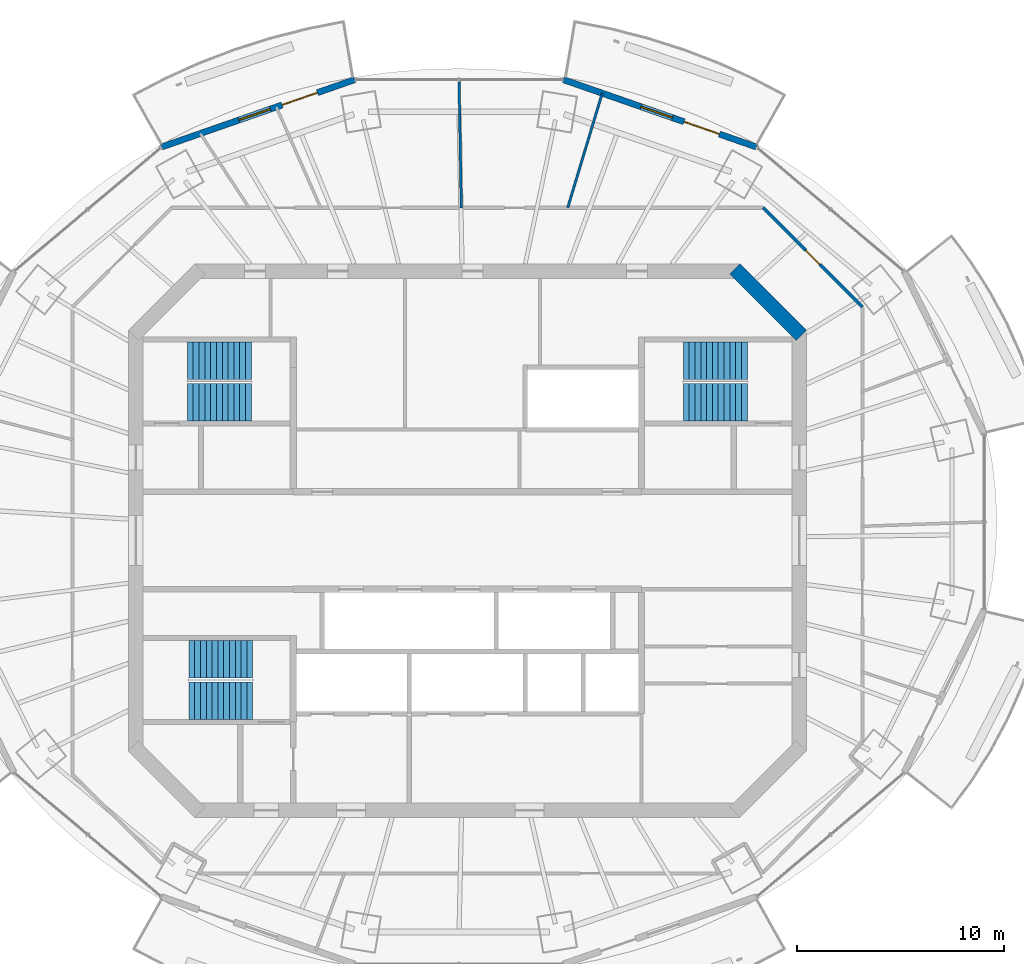
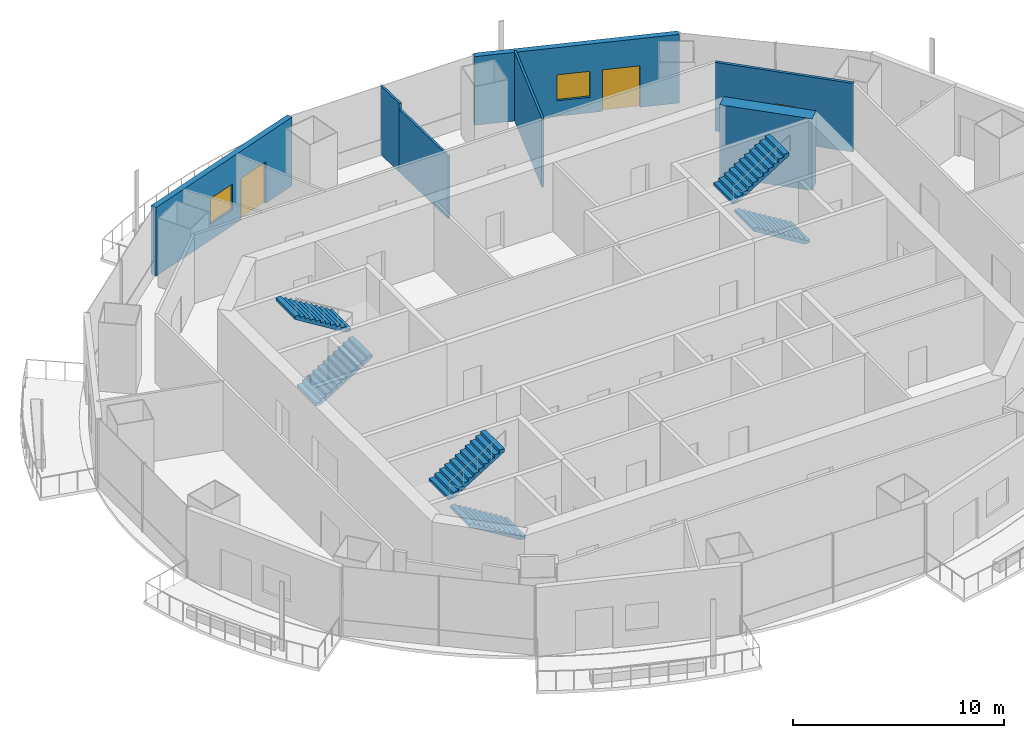
# One storey, part 11 of 16: 7 walls, 6 stair flights, 3 doors, 2 windows, 5 openings, 3 elements without a shape of their own.
"""IFC4 building model written with IfcOpenShell, lengths in metres."""

from ifc_helpers import new_model, si_unit, direction, frame, frame_2d, origin, place, context, subcontext, project, spatial, polyline, rectangle, outline, extrude, material, layer, layer_set, type_object, element, fill, aggregate, save


model = new_model("IFC4")

# Units and contexts
model_context = context("Model", 3, precision=1e-05, world=origin(), true_north=direction((0.0, 1.0)))
body_context = subcontext(model_context, "Body", "Model", "MODEL_VIEW")
ifc_project = project(units=[si_unit("LENGTHUNIT", "METRE"), si_unit("AREAUNIT", "SQUARE_METRE"), si_unit("VOLUMEUNIT", "CUBIC_METRE"), si_unit("PLANEANGLEUNIT", "RADIAN"), si_unit("MASSUNIT", "GRAM", prefix="KILO")], contexts=[model_context])

# Site, building, storey
site_placement = place(None, origin())
site = spatial("IfcSite", under=ifc_project, at=site_placement, CompositionType="ELEMENT")
building_placement = place(site_placement, origin())
building = spatial("IfcBuilding", under=site, at=building_placement, Name="Marenthal Gate Tower", CompositionType="ELEMENT")
storey_placement = place(building_placement, frame((0.0, 0.0, 375.800048828125)))
storey = spatial("IfcBuildingStorey", under=building, at=storey_placement, Name="L85", CompositionType="ELEMENT", Elevation=375.800048828125)

# Walls
ifc_material_1 = material(Name="Concrete 60 MPa", Category="concrete")
ifc_layer_1 = layer(ifc_material_1, 0.699951171875)
ifc_layer_set_1 = layer_set([ifc_layer_1], Name="Core shear wall 700")
wall_type_1 = type_object("IfcWallType", Name="Core shear wall 700", PredefinedType="SHEAR", material=ifc_layer_set_1)
wall_1_placement = place(storey_placement, frame((16.1025390625, 9.8974609375, -0.179931640625), z_axis=(0.0, 0.0, 1.0), x_axis=(-0.707106781187, 0.707106781187, 0.0)))
element("IfcWall", 1, at=wall_1_placement, inside=storey, type_object=wall_type_1, Name="Core wall 03", PredefinedType="SHEAR", context=body_context, shape_type="SweptSolid", body=[
    extrude(rectangle(XDim=4.53271484375, YDim=0.699951171875, at=frame_2d((2.266357421875, 0.0))), origin(), (0.0, 0.0, 1.0), 4.14990234375),
])
ifc_material_2 = material(Name="Gypsum board on steel studs", Category="steel")
ifc_layer_2 = layer(ifc_material_2, 0.1201171875)
ifc_layer_set_2 = layer_set([ifc_layer_2], Name="Partition 120")
wall_type_2 = type_object("IfcWallType", Name="Partition 120", PredefinedType="PARTITIONING", material=ifc_layer_set_2)
wall_2_placement = place(storey_placement, frame((-0.288818359375, 16.050048828125, 0.0), z_axis=(0.0, 0.0, 1.0), x_axis=(-0.01800089031, 0.999837970847, 0.0)))
element("IfcWall", 2, at=wall_2_placement, inside=storey, type_object=wall_type_2, Name="Partition wall 63", PredefinedType="PARTITIONING", context=body_context, shape_type="SweptSolid", body=[
    extrude(rectangle(XDim=4.4892578125, YDim=0.1201171875, at=frame_2d((2.24462890625, 0.0))), origin(), (0.0, 0.0, 1.0), 3.616943359375),
])
wall_3_placement = place(storey_placement, frame((-0.36962890625, 20.53857421875, 0.0), z_axis=(0.0, 0.0, 1.0), x_axis=(-0.017923967001, 0.9998393528, 0.0)))
element("IfcWall", 3, at=wall_3_placement, inside=storey, type_object=wall_type_2, Name="Partition wall 79", PredefinedType="PARTITIONING", context=body_context, shape_type="SweptSolid", body=[
    extrude(rectangle(XDim=1.68896484375, YDim=0.1201171875, at=frame_2d((0.844482421875, 0.0))), origin(), (0.0, 0.0, 1.0), 3.969970703125),
])
wall_4_placement = place(storey_placement, frame((4.840087890625, 16.050048828125, 0.0), z_axis=(0.0, 0.0, 1.0), x_axis=(0.288721483907, 0.957413131689, 0.0)))
element("IfcWall", 4, at=wall_4_placement, inside=storey, type_object=wall_type_2, Name="Partition wall 64", PredefinedType="PARTITIONING", context=body_context, shape_type="SweptSolid", body=[
    extrude(rectangle(XDim=5.771240234375, YDim=0.1201171875, at=frame_2d((2.8857421875, 0.0))), origin(), (0.0, 0.0, 1.0), 3.969970703125),
])

# Wall, opening, door
ifc_material_3 = material(Name="Gypsum board on steel studs", Category="steel")
ifc_layer_3 = layer(ifc_material_3, 0.14990234375)
ifc_layer_set_3 = layer_set([ifc_layer_3], Name="Partition 150")
wall_type_3 = type_object("IfcWallType", Name="Partition 150", PredefinedType="PARTITIONING", material=ifc_layer_set_3)
wall_5_placement = place(storey_placement, frame((14.263427734375, 16.050048828125, 0.0), z_axis=(0.0, 0.0, 1.0), x_axis=(0.707106781187, -0.707106781187, 0.0)))
wall_5 = element("IfcWall", 5, at=wall_5_placement, inside=storey, type_object=wall_type_3, Name="Partition wall 69", PredefinedType="PARTITIONING", context=body_context, shape_type="SweptSolid", body=[
    extrude(rectangle(XDim=6.769287109375, YDim=0.14990234375, at=frame_2d((3.384765625, 0.0))), origin(), (0.0, 0.0, 1.0), 3.969970703125),
])
opening_1_placement = place(wall_5_placement, frame((2.909912109375, 0.0, 0.0)))
opening_1 = element("IfcOpeningElement", 6, at=opening_1_placement, cuts=wall_5, Name="Opening D016.01", PredefinedType="OPENING", context=body_context, shape_type="SweptSolid", body=[
    extrude(rectangle(XDim=0.949951171875, YDim=2.10009765625, at=frame_2d((0.47509765625, 1.050048828125))), frame((0.0, 0.0849609375, 0.0), z_axis=(0.0, -1.0, 0.0), x_axis=(1.0, 0.0, 0.0)), (0.0, 0.0, 1.0), 0.169921875),
])
ifc_material_4 = material(Name="Timber door", Category="wood")
door_type_1 = type_object("IfcDoorType", Name="Door 950 x 2100", OperationType="NOTDEFINED", PredefinedType="DOOR", material=ifc_material_4)
door_1_placement = place(opening_1_placement, origin())
door_1 = element("IfcDoor", 7, at=door_1_placement, inside=storey, type_object=door_type_1, Name="Door D016.01", OperationType="SINGLE_SWING_RIGHT", OverallHeight=2.10009765625, OverallWidth=0.949951171875, PredefinedType="DOOR", context=body_context, shape_type="SweptSolid", body=[
    extrude(rectangle(XDim=0.949951171875, YDim=2.10009765625, at=frame_2d((0.47509765625, 1.050048828125))), frame((0.0, 0.02490234375, 0.0), z_axis=(0.0, -1.0, 0.0), x_axis=(1.0, 0.0, 0.0)), (0.0, 0.0, 1.0), 0.050048828125),
])
fill(opening_1, door_1)

# Wall, openings, door, window
ifc_material_5 = material(Name="Terracotta cladding on insulated concrete-block backing", Category="masonry")
ifc_layer_4 = layer(ifc_material_5, 0.300048828125)
ifc_layer_set_4 = layer_set([ifc_layer_4], Name="Terracotta facade wall 300")
wall_type_4 = type_object("IfcWallType", Name="Terracotta facade wall 300", PredefinedType="SOLIDWALL", material=ifc_layer_set_4)
wall_6_placement = place(storey_placement, frame((13.94580078125, 18.980224609375, 0.0), z_axis=(0.0, 0.0, 1.0), x_axis=(-0.944198390312, 0.329377290855, 0.0)))
wall_6 = element("IfcWall", 8, at=wall_6_placement, inside=storey, type_object=wall_type_4, Name="Terracotta facade wall L85 bay 3", PredefinedType="SOLIDWALL", context=body_context, shape_type="SweptSolid", body=[
    extrude(rectangle(XDim=9.858154296875, YDim=0.300048828125, at=frame_2d((4.92919921875, 0.0))), origin(), (0.0, 0.0, 1.0), 3.969970703125),
])
opening_2_placement = place(wall_6_placement, frame((1.89990234375, 0.0, 0.0)))
opening_2 = element("IfcOpeningElement", 9, at=opening_2_placement, cuts=wall_6, Name="Opening BD-L85-03", PredefinedType="OPENING", context=body_context, shape_type="SweptSolid", body=[
    extrude(rectangle(XDim=1.800048828125, YDim=2.39990234375, at=frame_2d((0.89990234375, 1.199951171875))), frame((0.0, 0.16015625, 0.0), z_axis=(0.0, -1.0, 0.0), x_axis=(1.0, 0.0, 0.0)), (0.0, 0.0, 1.0), 0.320068359375),
])
opening_3_placement = place(wall_6_placement, frame((4.300048828125, 0.0, 0.89990234375)))
opening_3 = element("IfcOpeningElement", 10, at=opening_3_placement, cuts=wall_6, Name="Opening WN3-L85-03", PredefinedType="OPENING", context=body_context, shape_type="SweptSolid", body=[
    extrude(rectangle(XDim=1.60009765625, YDim=1.5, at=frame_2d((0.800048828125, 0.75))), frame((0.0, 0.16015625, 0.0), z_axis=(0.0, -1.0, 0.0), x_axis=(1.0, 0.0, 0.0)), (0.0, 0.0, 1.0), 0.320068359375),
])
ifc_material_6 = material(Name="Aluminium and glass", Category="aluminium")
door_type_2 = type_object("IfcDoorType", Name="Balcony door 1800x2400", OperationType="DOUBLE_DOOR_SINGLE_SWING", PredefinedType="DOOR", material=ifc_material_6)
door_2_placement = place(opening_2_placement, origin())
door_2 = element("IfcDoor", 11, at=door_2_placement, inside=storey, type_object=door_type_2, Name="Balcony door L85 bay 3", OperationType="SINGLE_SWING_LEFT", OverallHeight=2.39990234375, OverallWidth=1.800048828125, PredefinedType="DOOR", context=body_context, shape_type="SweptSolid", body=[
    extrude(rectangle(XDim=1.800048828125, YDim=2.39990234375, at=frame_2d((0.89990234375, 1.199951171875))), frame((0.0, 0.02490234375, 0.0), z_axis=(0.0, -1.0, 0.0), x_axis=(1.0, 0.0, 0.0)), (0.0, 0.0, 1.0), 0.050048828125),
])
fill(opening_2, door_2)
ifc_material_7 = material(Name="Aluminium and glass", Category="aluminium")
window_type = type_object("IfcWindowType", Name="Window 1600x1500", PartitioningType="DOUBLE_PANEL_VERTICAL", PredefinedType="WINDOW", material=ifc_material_7)
window_1_placement = place(opening_3_placement, origin())
window_1 = element("IfcWindow", 12, at=window_1_placement, inside=storey, type_object=window_type, Name="Window L85 bay 3", OverallHeight=1.5, OverallWidth=1.60009765625, PartitioningType="SINGLE_PANEL", PredefinedType="WINDOW", context=body_context, shape_type="SweptSolid", body=[
    extrude(rectangle(XDim=1.60009765625, YDim=1.5, at=frame_2d((0.800048828125, 0.75))), frame((0.0, 0.030029296875, 0.0), z_axis=(0.0, -1.0, 0.0), x_axis=(1.0, 0.0, 0.0)), (0.0, 0.0, 1.0), 0.06005859375),
])
fill(opening_3, window_1)

wall_7_placement = place(storey_placement, frame((-5.4375, 22.227294921875, 0.0), z_axis=(0.0, 0.0, 1.0), x_axis=(-0.944201076981, -0.329369589106, 0.0)))
wall_7 = element("IfcWall", 13, at=wall_7_placement, inside=storey, type_object=wall_type_4, Name="Terracotta facade wall L85 bay 5", PredefinedType="SOLIDWALL", context=body_context, shape_type="SweptSolid", body=[
    extrude(rectangle(XDim=9.8583984375, YDim=0.300048828125, at=frame_2d((4.92919921875, 0.0))), origin(), (0.0, 0.0, 1.0), 3.969970703125),
])
opening_4_placement = place(wall_7_placement, frame((1.89990234375, 0.0, 0.0)))
opening_4 = element("IfcOpeningElement", 14, at=opening_4_placement, cuts=wall_7, Name="Opening BD-L85-05", PredefinedType="OPENING", context=body_context, shape_type="SweptSolid", body=[
    extrude(rectangle(XDim=1.800048828125, YDim=2.39990234375, at=frame_2d((0.89990234375, 1.199951171875))), frame((0.0, 0.16015625, 0.0), z_axis=(0.0, -1.0, 0.0), x_axis=(1.0, 0.0, 0.0)), (0.0, 0.0, 1.0), 0.320068359375),
])
opening_5_placement = place(wall_7_placement, frame((4.300048828125, 0.0, 0.89990234375)))
opening_5 = element("IfcOpeningElement", 15, at=opening_5_placement, cuts=wall_7, Name="Opening WN3-L85-05", PredefinedType="OPENING", context=body_context, shape_type="SweptSolid", body=[
    extrude(rectangle(XDim=1.60009765625, YDim=1.5, at=frame_2d((0.800048828125, 0.75))), frame((0.0, 0.16015625, 0.0), z_axis=(0.0, -1.0, 0.0), x_axis=(1.0, 0.0, 0.0)), (0.0, 0.0, 1.0), 0.320068359375),
])
door_3_placement = place(opening_4_placement, origin())
door_3 = element("IfcDoor", 16, at=door_3_placement, inside=storey, type_object=door_type_2, Name="Balcony door L85 bay 5", OperationType="SINGLE_SWING_LEFT", OverallHeight=2.39990234375, OverallWidth=1.800048828125, PredefinedType="DOOR", context=body_context, shape_type="SweptSolid", body=[
    extrude(rectangle(XDim=1.800048828125, YDim=2.39990234375, at=frame_2d((0.89990234375, 1.199951171875))), frame((0.0, 0.02490234375, 0.0), z_axis=(0.0, -1.0, 0.0), x_axis=(1.0, 0.0, 0.0)), (0.0, 0.0, 1.0), 0.050048828125),
])
fill(opening_4, door_3)
window_2_placement = place(opening_5_placement, origin())
window_2 = element("IfcWindow", 17, at=window_2_placement, inside=storey, type_object=window_type, Name="Window L85 bay 5", OverallHeight=1.5, OverallWidth=1.60009765625, PartitioningType="SINGLE_PANEL", PredefinedType="WINDOW", context=body_context, shape_type="SweptSolid", body=[
    extrude(rectangle(XDim=1.60009765625, YDim=1.5, at=frame_2d((0.800048828125, 0.75))), frame((0.0, 0.030029296875, 0.0), z_axis=(0.0, -1.0, 0.0), x_axis=(1.0, 0.0, 0.0)), (0.0, 0.0, 1.0), 0.06005859375),
])
fill(opening_5, window_2)

# Stair, stair flights
ifc_material_8 = material(Name="Concrete 40 MPa", Category="concrete")
stair_type = type_object("IfcStairType", Name="Exit stair 1800", PredefinedType="HALF_TURN_STAIR", material=ifc_material_8)
stair_1_placement = place(storey_placement, origin())
stair_1 = element("IfcStair", 18, at=stair_1_placement, inside=storey, type_object=stair_type, Name="Stair ST1", PredefinedType="HALF_TURN_STAIR")
ifc_material_9 = material(Name="Concrete 40 MPa", Category="concrete")
stair_flight_type = type_object("IfcStairFlightType", Name="Stair flight 1800", PredefinedType="STRAIGHT", material=ifc_material_9)
stair_flight_1_placement = place(storey_placement, frame((-13.5, 6.675048828125, 0.0), z_axis=(0.0, 0.0, 1.0), x_axis=(1.0, 0.0, 0.0)))
stair_flight_1 = element("IfcStairFlight", 19, at=stair_flight_1_placement, type_object=stair_flight_type, Name="ST1 flight 1", NumberOfRisers=12, NumberOfTreads=11, PredefinedType="STRAIGHT", RiserHeight=0.172916667, TreadLength=0.28, context=body_context, shape_type="SweptSolid", body=[
    extrude(outline(polyline([(0.0, 0.0), (0.0, 0.1728515625), (0.280029296875, 0.1728515625), (0.280029296875, 0.345947265625), (0.56005859375, 0.345947265625), (0.56005859375, 0.518798828125), (0.840087890625, 0.518798828125), (0.840087890625, 0.691650390625), (1.1201171875, 0.691650390625), (1.1201171875, 0.864501953125), (1.39990234375, 0.864501953125), (1.39990234375, 1.03759765625), (1.679931640625, 1.03759765625), (1.679931640625, 1.21044921875), (1.9599609375, 1.21044921875), (1.9599609375, 1.38330078125), (2.239990234375, 1.38330078125), (2.239990234375, 1.55615234375), (2.52001953125, 1.55615234375), (2.52001953125, 1.729248046875), (2.800048828125, 1.729248046875), (2.800048828125, 1.902099609375), (3.080078125, 1.902099609375), (3.080078125, 2.074951171875), (3.080078125, 1.725830078125), (0.285400390625, 0.0), (0.0, 0.0)])), frame((0.0, 0.89990234375, 0.0), z_axis=(0.0, -1.0, 0.0), x_axis=(1.0, 0.0, 0.0)), (0.0, 0.0, 1.0), 1.800048828125),
])
stair_flight_2_placement = place(storey_placement, frame((-10.419921875, 8.675048828125, 2.074951171875), z_axis=(0.0, 0.0, 1.0), x_axis=(-1.0, 0.0, 0.0)))
stair_flight_2 = element("IfcStairFlight", 20, at=stair_flight_2_placement, type_object=stair_flight_type, Name="ST1 flight 2", NumberOfRisers=12, NumberOfTreads=11, PredefinedType="STRAIGHT", RiserHeight=0.172916667, TreadLength=0.28, context=body_context, shape_type="SweptSolid", body=[
    extrude(outline(polyline([(0.0, 0.0), (0.0, 0.1728515625), (0.280029296875, 0.1728515625), (0.280029296875, 0.345947265625), (0.56005859375, 0.345947265625), (0.56005859375, 0.518798828125), (0.840087890625, 0.518798828125), (0.840087890625, 0.691650390625), (1.1201171875, 0.691650390625), (1.1201171875, 0.864501953125), (1.39990234375, 0.864501953125), (1.39990234375, 1.03759765625), (1.679931640625, 1.03759765625), (1.679931640625, 1.21044921875), (1.9599609375, 1.21044921875), (1.9599609375, 1.38330078125), (2.239990234375, 1.38330078125), (2.239990234375, 1.55615234375), (2.52001953125, 1.55615234375), (2.52001953125, 1.729248046875), (2.800048828125, 1.729248046875), (2.800048828125, 1.902099609375), (3.080078125, 1.902099609375), (3.080078125, 2.074951171875), (3.080078125, 1.725830078125), (0.285400390625, 0.0), (0.0, 0.0)])), frame((0.0, 0.89990234375, 0.0), z_axis=(0.0, -1.0, 0.0), x_axis=(1.0, 0.0, 0.0)), (0.0, 0.0, 1.0), 1.800048828125),
])
aggregate(stair_1, [stair_flight_1, stair_flight_2])

stair_2_placement = place(storey_placement, origin())
stair_2 = element("IfcStair", 21, at=stair_2_placement, inside=storey, type_object=stair_type, Name="Stair ST2", PredefinedType="HALF_TURN_STAIR")
stair_flight_3_placement = place(storey_placement, frame((-10.35009765625, -7.72509765625, 0.0), z_axis=(0.0, 0.0, 1.0), x_axis=(-1.0, 0.0, 0.0)))
stair_flight_3 = element("IfcStairFlight", 22, at=stair_flight_3_placement, type_object=stair_flight_type, Name="ST2 flight 1", NumberOfRisers=12, NumberOfTreads=11, PredefinedType="STRAIGHT", RiserHeight=0.172916667, TreadLength=0.28, context=body_context, shape_type="SweptSolid", body=[
    extrude(outline(polyline([(0.0, 0.0), (0.0, 0.1728515625), (0.280029296875, 0.1728515625), (0.280029296875, 0.345947265625), (0.56005859375, 0.345947265625), (0.56005859375, 0.518798828125), (0.840087890625, 0.518798828125), (0.840087890625, 0.691650390625), (1.1201171875, 0.691650390625), (1.1201171875, 0.864501953125), (1.39990234375, 0.864501953125), (1.39990234375, 1.03759765625), (1.679931640625, 1.03759765625), (1.679931640625, 1.21044921875), (1.9599609375, 1.21044921875), (1.9599609375, 1.38330078125), (2.239990234375, 1.38330078125), (2.239990234375, 1.55615234375), (2.52001953125, 1.55615234375), (2.52001953125, 1.729248046875), (2.800048828125, 1.729248046875), (2.800048828125, 1.902099609375), (3.080078125, 1.902099609375), (3.080078125, 2.074951171875), (3.080078125, 1.725830078125), (0.285400390625, 0.0), (0.0, 0.0)])), frame((0.0, 0.89990234375, 0.0), z_axis=(0.0, -1.0, 0.0), x_axis=(1.0, 0.0, 0.0)), (0.0, 0.0, 1.0), 1.800048828125),
])
stair_flight_4_placement = place(storey_placement, frame((-13.429931640625, -5.72509765625, 2.074951171875), z_axis=(0.0, 0.0, 1.0), x_axis=(1.0, 0.0, 0.0)))
stair_flight_4 = element("IfcStairFlight", 23, at=stair_flight_4_placement, type_object=stair_flight_type, Name="ST2 flight 2", NumberOfRisers=12, NumberOfTreads=11, PredefinedType="STRAIGHT", RiserHeight=0.172916667, TreadLength=0.28, context=body_context, shape_type="SweptSolid", body=[
    extrude(outline(polyline([(0.0, 0.0), (0.0, 0.1728515625), (0.280029296875, 0.1728515625), (0.280029296875, 0.345947265625), (0.56005859375, 0.345947265625), (0.56005859375, 0.518798828125), (0.840087890625, 0.518798828125), (0.840087890625, 0.691650390625), (1.1201171875, 0.691650390625), (1.1201171875, 0.864501953125), (1.39990234375, 0.864501953125), (1.39990234375, 1.03759765625), (1.679931640625, 1.03759765625), (1.679931640625, 1.21044921875), (1.9599609375, 1.21044921875), (1.9599609375, 1.38330078125), (2.239990234375, 1.38330078125), (2.239990234375, 1.55615234375), (2.52001953125, 1.55615234375), (2.52001953125, 1.729248046875), (2.800048828125, 1.729248046875), (2.800048828125, 1.902099609375), (3.080078125, 1.902099609375), (3.080078125, 2.074951171875), (3.080078125, 1.725830078125), (0.285400390625, 0.0), (0.0, 0.0)])), frame((0.0, 0.89990234375, 0.0), z_axis=(0.0, -1.0, 0.0), x_axis=(1.0, 0.0, 0.0)), (0.0, 0.0, 1.0), 1.800048828125),
])
aggregate(stair_2, [stair_flight_3, stair_flight_4])

stair_3_placement = place(storey_placement, origin())
stair_3 = element("IfcStair", 24, at=stair_3_placement, inside=storey, type_object=stair_type, Name="Stair ST3", PredefinedType="HALF_TURN_STAIR")
stair_flight_5_placement = place(storey_placement, frame((13.5, 6.675048828125, 0.0), z_axis=(0.0, 0.0, 1.0), x_axis=(-1.0, 0.0, 0.0)))
stair_flight_5 = element("IfcStairFlight", 25, at=stair_flight_5_placement, type_object=stair_flight_type, Name="ST3 flight 1", NumberOfRisers=12, NumberOfTreads=11, PredefinedType="STRAIGHT", RiserHeight=0.172916667, TreadLength=0.28, context=body_context, shape_type="SweptSolid", body=[
    extrude(outline(polyline([(0.0, 0.0), (0.0, 0.1728515625), (0.280029296875, 0.1728515625), (0.280029296875, 0.345947265625), (0.56005859375, 0.345947265625), (0.56005859375, 0.518798828125), (0.840087890625, 0.518798828125), (0.840087890625, 0.691650390625), (1.1201171875, 0.691650390625), (1.1201171875, 0.864501953125), (1.39990234375, 0.864501953125), (1.39990234375, 1.03759765625), (1.679931640625, 1.03759765625), (1.679931640625, 1.21044921875), (1.9599609375, 1.21044921875), (1.9599609375, 1.38330078125), (2.239990234375, 1.38330078125), (2.239990234375, 1.55615234375), (2.52001953125, 1.55615234375), (2.52001953125, 1.729248046875), (2.800048828125, 1.729248046875), (2.800048828125, 1.902099609375), (3.080078125, 1.902099609375), (3.080078125, 2.074951171875), (3.080078125, 1.725830078125), (0.285400390625, 0.0), (0.0, 0.0)])), frame((0.0, 0.89990234375, 0.0), z_axis=(0.0, -1.0, 0.0), x_axis=(1.0, 0.0, 0.0)), (0.0, 0.0, 1.0), 1.800048828125),
])
stair_flight_6_placement = place(storey_placement, frame((10.419921875, 8.675048828125, 2.074951171875), z_axis=(0.0, 0.0, 1.0), x_axis=(1.0, 0.0, 0.0)))
stair_flight_6 = element("IfcStairFlight", 26, at=stair_flight_6_placement, type_object=stair_flight_type, Name="ST3 flight 2", NumberOfRisers=12, NumberOfTreads=11, PredefinedType="STRAIGHT", RiserHeight=0.172916667, TreadLength=0.28, context=body_context, shape_type="SweptSolid", body=[
    extrude(outline(polyline([(0.0, 0.0), (0.0, 0.1728515625), (0.280029296875, 0.1728515625), (0.280029296875, 0.345947265625), (0.56005859375, 0.345947265625), (0.56005859375, 0.518798828125), (0.840087890625, 0.518798828125), (0.840087890625, 0.691650390625), (1.1201171875, 0.691650390625), (1.1201171875, 0.864501953125), (1.39990234375, 0.864501953125), (1.39990234375, 1.03759765625), (1.679931640625, 1.03759765625), (1.679931640625, 1.21044921875), (1.9599609375, 1.21044921875), (1.9599609375, 1.38330078125), (2.239990234375, 1.38330078125), (2.239990234375, 1.55615234375), (2.52001953125, 1.55615234375), (2.52001953125, 1.729248046875), (2.800048828125, 1.729248046875), (2.800048828125, 1.902099609375), (3.080078125, 1.902099609375), (3.080078125, 2.074951171875), (3.080078125, 1.725830078125), (0.285400390625, 0.0), (0.0, 0.0)])), frame((0.0, 0.89990234375, 0.0), z_axis=(0.0, -1.0, 0.0), x_axis=(1.0, 0.0, 0.0)), (0.0, 0.0, 1.0), 1.800048828125),
])
aggregate(stair_3, [stair_flight_5, stair_flight_6])

save(model, "model.ifc")
